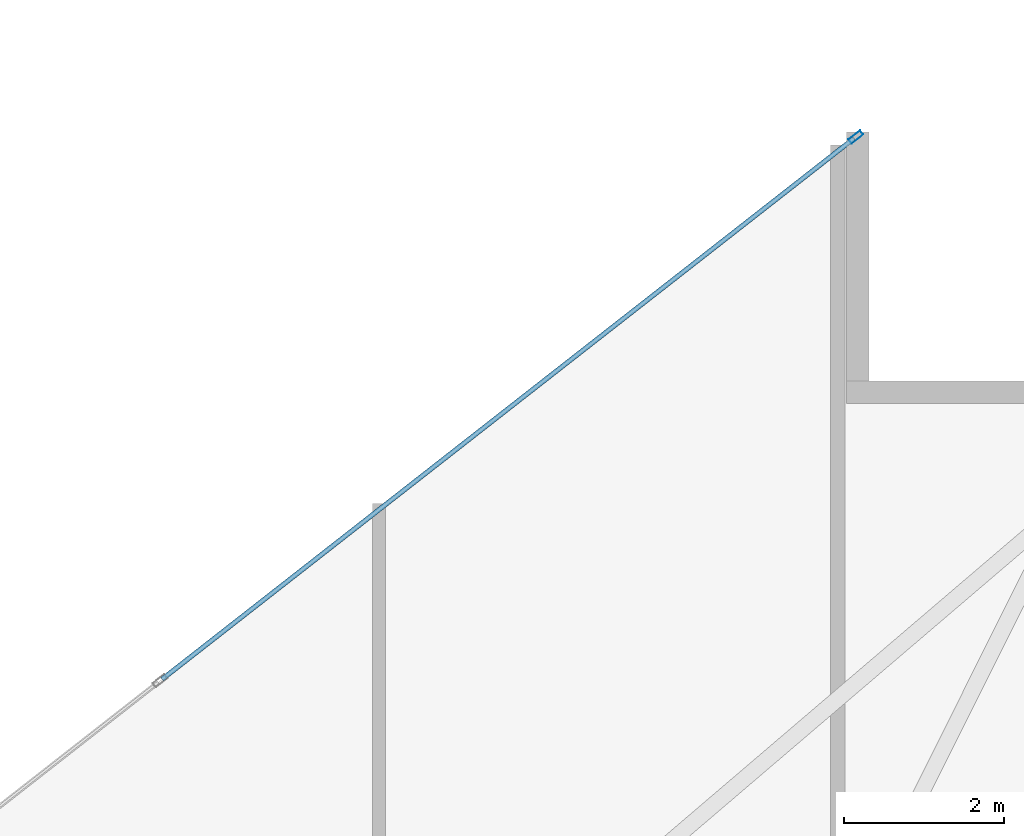
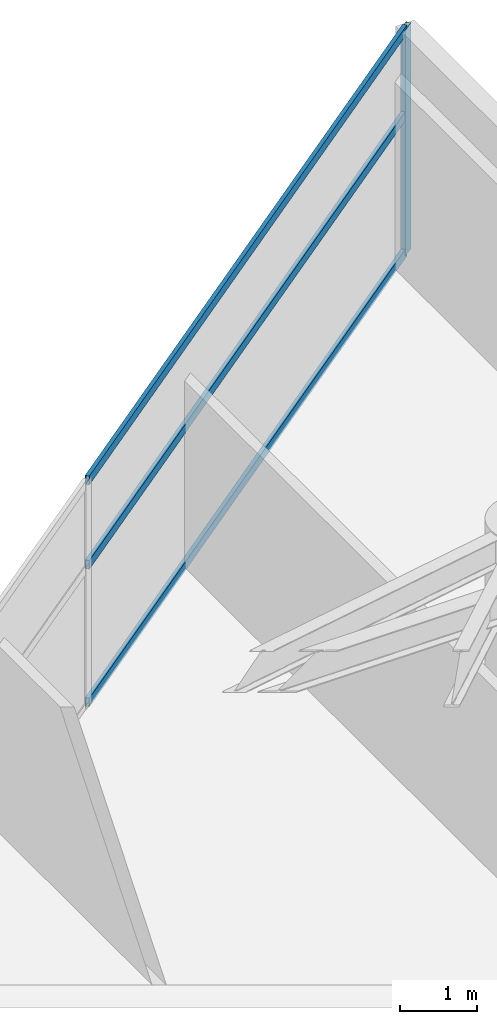
# One storey, part 22 of 30: 4 members, 1 element without a shape of its own.
"""IFC4 building model written with IfcOpenShell, lengths in metres."""

from ifc_helpers import new_model, si_unit, direction, frame, origin, origin_2d, place, context, subcontext, project, spatial, hollow_rectangle, extrude, material, layer, layer_set, material_profile, profile_set, type_object, element, aggregate, save


model = new_model("IFC4")

# Units and contexts
model_context = context("Model", 3, precision=1e-05, world=origin(), true_north=direction((0.0, 1.0)))
body_context = subcontext(model_context, "Body", "Model", "MODEL_VIEW")
ifc_project = project(units=[si_unit("LENGTHUNIT", "METRE"), si_unit("AREAUNIT", "SQUARE_METRE"), si_unit("VOLUMEUNIT", "CUBIC_METRE"), si_unit("PLANEANGLEUNIT", "RADIAN"), si_unit("MASSUNIT", "GRAM", prefix="KILO")], contexts=[model_context])

# Site, building, storey
site_placement = place(None, origin())
site = spatial("IfcSite", under=ifc_project, at=site_placement, CompositionType="ELEMENT")
building_placement = place(site_placement, origin())
building = spatial("IfcBuilding", under=site, at=building_placement, Name="Calvorn Quay Hotel", CompositionType="ELEMENT")
storey_placement = place(building_placement, frame((0.0, 0.0, 207.199951171875)))
storey = spatial("IfcBuildingStorey", under=building, at=storey_placement, Name="L51", CompositionType="ELEMENT", Elevation=207.199951171875)

# Curtain wall, members
ifc_material_1 = material(Name="Champagne Bronze Anodised Aluminium and Low-E Glass", Category="aluminium")
ifc_layer = layer(ifc_material_1, 0.219970703125)
ifc_layer_set = layer_set([ifc_layer], Name="CW-SYS-Z3")
curtain_wall_type = type_object("IfcCurtainWallType", Name="CW-SYS-Z3", PredefinedType="NOTDEFINED", material=ifc_layer_set)
curtain_wall_placement = place(storey_placement, origin())
curtain_wall = element("IfcCurtainWall", 1, at=curtain_wall_placement, inside=storey, type_object=curtain_wall_type, Name="Inner Court Curtain Wall L51-NE1", PredefinedType="NOTDEFINED")
ifc_material_2 = material(Name="Champagne Bronze Anodised Aluminium 6063-T6", Category="aluminium")
ifc_material_profile_1 = material_profile(ifc_material_2, hollow_rectangle(XDim=0.068115234375, YDim=0.18505859375, WallThickness=0.00390625, at=origin_2d()), Name="ALU-M185x68x4")
ifc_profile_set_1 = profile_set([ifc_material_profile_1], Name="Champagne Bronze Anodised Aluminium 6063-T6")
member_type_1 = type_object("IfcMemberType", Name="CW-SYS-Z3-MUL", PredefinedType="MULLION", material=ifc_profile_set_1)
member_1_placement = place(storey_placement, frame((38.976318359375, 37.9814453125, 0.0), z_axis=(0.0, 0.0, 1.0), x_axis=(0.615819768044, -0.787887056174, 0.0)))
member_1 = element("IfcMember", 2, at=member_1_placement, type_object=member_type_1, Name="CW-L51-NE1 mullion 1", PredefinedType="MULLION", context=body_context, shape_type="SweptSolid", body=[
    extrude(hollow_rectangle(XDim=0.068115234375, YDim=0.18505859375, WallThickness=0.00390625, at=origin_2d()), origin(), (0.0, 0.0, 1.0), 3.56005859375),
])
ifc_material_3 = material(Name="Champagne Bronze Anodised Aluminium 6063-T6", Category="aluminium")
ifc_material_profile_2 = material_profile(ifc_material_3, hollow_rectangle(XDim=0.05810546875, YDim=0.139892578125, WallThickness=0.003173828125, at=origin_2d()), Name="ALU-T140x58x3.2")
ifc_profile_set_2 = profile_set([ifc_material_profile_2], Name="Champagne Bronze Anodised Aluminium 6063-T6")
member_type_2 = type_object("IfcMemberType", Name="CW-SYS-Z3-TRN", PredefinedType="USERDEFINED", material=ifc_profile_set_2)
member_2_placement = place(storey_placement, frame((38.95263671875, 37.963134765625, 0.030029296875), z_axis=(-0.787878353679, -0.615830901956, 0.0), x_axis=(0.615830901956, -0.787878353679, 0.0)))
member_2 = element("IfcMember", 3, at=member_2_placement, type_object=member_type_2, Name="CW-L51-NE1 transom 1.1", ObjectType="TRANSOM", PredefinedType="USERDEFINED", context=body_context, shape_type="SweptSolid", body=[
    extrude(hollow_rectangle(XDim=0.05810546875, YDim=0.139892578125, WallThickness=0.003173828125, at=origin_2d()), origin(), (0.0, 0.0, 1.0), 10.9521484375),
])
member_3_placement = place(storey_placement, frame((38.95263671875, 37.963134765625, 2.199951171875), z_axis=(-0.787878353679, -0.615830901956, 0.0), x_axis=(0.615830901956, -0.787878353679, 0.0)))
member_3 = element("IfcMember", 4, at=member_3_placement, type_object=member_type_2, Name="CW-L51-NE1 transom 1.2", ObjectType="TRANSOM", PredefinedType="USERDEFINED", context=body_context, shape_type="SweptSolid", body=[
    extrude(hollow_rectangle(XDim=0.05810546875, YDim=0.139892578125, WallThickness=0.003173828125, at=origin_2d()), origin(), (0.0, 0.0, 1.0), 10.9521484375),
])
member_4_placement = place(storey_placement, frame((38.95263671875, 37.963134765625, 3.530029296875), z_axis=(-0.787878353679, -0.615830901956, 0.0), x_axis=(0.615830901956, -0.787878353679, 0.0)))
member_4 = element("IfcMember", 5, at=member_4_placement, type_object=member_type_2, Name="CW-L51-NE1 transom 1.3", ObjectType="TRANSOM", PredefinedType="USERDEFINED", context=body_context, shape_type="SweptSolid", body=[
    extrude(hollow_rectangle(XDim=0.05810546875, YDim=0.139892578125, WallThickness=0.003173828125, at=origin_2d()), origin(), (0.0, 0.0, 1.0), 10.9521484375),
])
aggregate(curtain_wall, [member_1, member_2, member_3, member_4])

save(model, "model.ifc")
